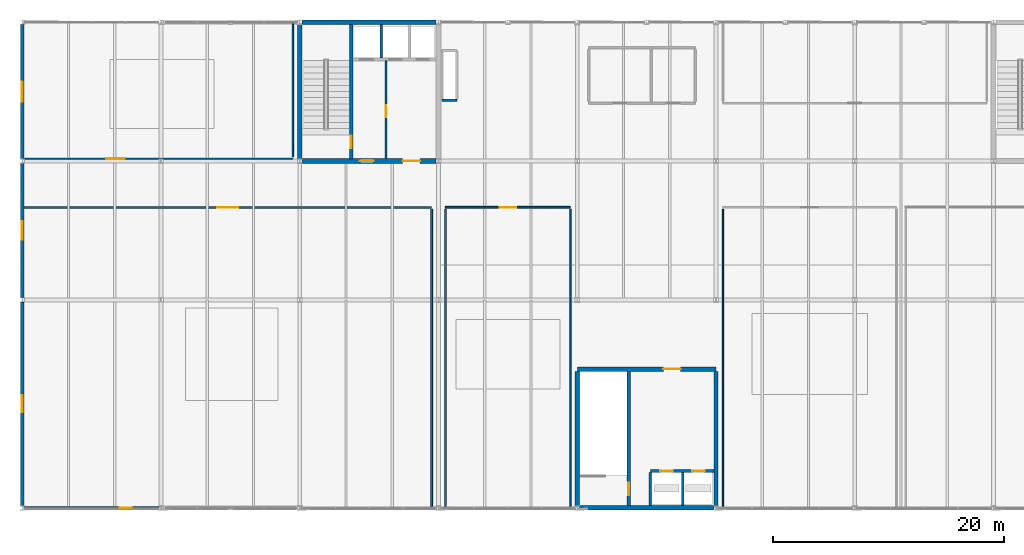
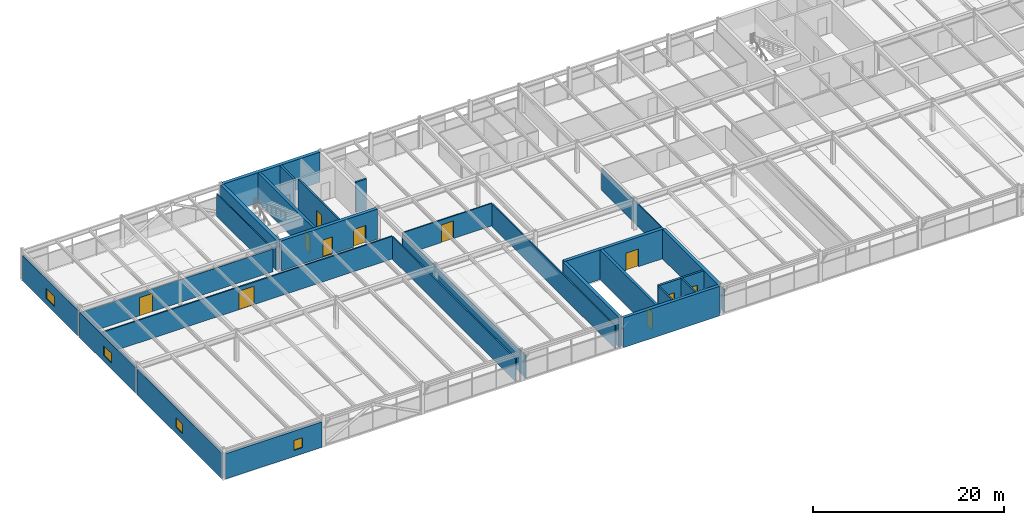
# One storey, part 45 of 52: 27 walls, 11 doors, 4 windows, 15 openings.
"""IFC4 building model written with IfcOpenShell, lengths in metres."""

from ifc_helpers import new_model, si_unit, direction, frame, frame_2d, origin, place, context, subcontext, project, spatial, rectangle, extrude, material, layer, layer_set, type_object, element, fill, save


model = new_model("IFC4")

# Units and contexts
model_context = context("Model", 3, precision=1e-05, world=origin(), true_north=direction((0.0, 1.0)))
body_context = subcontext(model_context, "Body", "Model", "MODEL_VIEW")
ifc_project = project(units=[si_unit("LENGTHUNIT", "METRE"), si_unit("AREAUNIT", "SQUARE_METRE"), si_unit("VOLUMEUNIT", "CUBIC_METRE"), si_unit("PLANEANGLEUNIT", "RADIAN"), si_unit("MASSUNIT", "GRAM", prefix="KILO")], contexts=[model_context])

# Site, building, storey
site_placement = place(None, origin())
site = spatial("IfcSite", under=ifc_project, at=site_placement, CompositionType="ELEMENT")
building_placement = place(site_placement, origin())
building = spatial("IfcBuilding", under=site, at=building_placement, Name="Girod Span Mobility Hub", CompositionType="ELEMENT")
storey_placement = place(building_placement, frame((0.0, 0.0, 45.60009765625)))
storey = spatial("IfcBuildingStorey", under=building, at=storey_placement, Name="L11", CompositionType="ELEMENT", Elevation=45.60009765625)

# Wall
ifc_material_1 = material(Name="Concrete C40/50", Category="concrete")
ifc_layer_1 = layer(ifc_material_1, 0.3798828125)
ifc_layer_set_1 = layer_set([ifc_layer_1], Name="Concrete C40/50")
wall_type_1 = type_object("IfcWallType", Name="W-CW-380", PredefinedType="SHEAR", material=ifc_layer_set_1)
wall_1_placement = place(storey_placement, frame((72.194091796875, 27.0, 0.0), z_axis=(0.0, 0.0, 1.0), x_axis=(1.0, 0.0, 0.0)))
element("IfcWall", 1, at=wall_1_placement, inside=storey, type_object=wall_type_1, Name="Core C3 Shear Wall S L11", PredefinedType="SHEAR", context=body_context, shape_type="SweptSolid", body=[
    extrude(rectangle(XDim=11.61181640625, YDim=0.3798828125, at=frame_2d((5.805908203125, 0.0))), origin(), (0.0, 0.0, 1.0), 3.782958984375),
])

# Wall, opening, door
wall_2_placement = place(storey_placement, frame((72.0, 39.0, 0.0), z_axis=(0.0, 0.0, 1.0), x_axis=(1.0, 0.0, 0.0)))
wall_2 = element("IfcWall", 2, at=wall_2_placement, inside=storey, type_object=wall_type_1, Name="Core C3 Shear Wall N L11", PredefinedType="SHEAR", context=body_context, shape_type="SweptSolid", body=[
    extrude(rectangle(XDim=12.0, YDim=0.3798828125, at=frame_2d((6.0, 0.0))), origin(), (0.0, 0.0, 1.0), 3.782958984375),
])
opening_1_placement = place(wall_2_placement, frame((7.449951171875, 0.0, 0.0)))
opening_1 = element("IfcOpeningElement", 3, at=opening_1_placement, cuts=wall_2, Name="Opening D-LB-C3-L11", PredefinedType="OPENING", context=body_context, shape_type="SweptSolid", body=[
    extrude(rectangle(XDim=1.5, YDim=2.25, at=frame_2d((0.75, 1.125))), frame((0.0, 0.204833984375, 0.0), z_axis=(0.0, -1.0, 0.0), x_axis=(1.0, 0.0, 0.0)), (0.0, 0.0, 1.0), 0.409912109375),
])
ifc_material_2 = material(Name="Fire-Rated Insulated Hollow Metal Steel", Category="steel")
door_type_1 = type_object("IfcDoorType", Name="DT-FD-03", OperationType="DOUBLE_DOOR_SINGLE_SWING", PredefinedType="DOOR", material=ifc_material_2)
door_1_placement = place(opening_1_placement, origin())
door_1 = element("IfcDoor", 4, at=door_1_placement, inside=storey, type_object=door_type_1, Name="Core C3 Lobby Door L11", OperationType="DOUBLE_DOOR_SINGLE_SWING", OverallHeight=2.25, OverallWidth=1.5, PredefinedType="DOOR", context=body_context, shape_type="SweptSolid", body=[
    extrude(rectangle(XDim=1.5, YDim=2.25, at=frame_2d((0.75, 1.125))), frame((0.0, 0.02490234375, 0.0), z_axis=(0.0, -1.0, 0.0), x_axis=(1.0, 0.0, 0.0)), (0.0, 0.0, 1.0), 0.050048828125),
])
fill(opening_1, door_1)

# Walls
for number, where, z_axis, x_axis, name in (
    (5, (72.0, 27.1845703125, 0.0), (0.0, 0.0, 1.0), (0.0, 1.0, 0.0), "Core C3 Shear Wall W L11"),
    (6, (84.0, 27.1845703125, 0.0), (0.0, 0.0, 1.0), (0.0, 1.0, 0.0), "Core C3 Shear Wall E L11"),
):
    element("IfcWall", number, at=place(storey_placement, frame(where, z_axis=z_axis, x_axis=x_axis)), inside=storey, type_object=wall_type_1, Name=name, PredefinedType="SHEAR", context=body_context, shape_type="SweptSolid", body=[
        extrude(rectangle(XDim=11.62841796875, YDim=0.3798828125, at=frame_2d((5.814208984375, 0.0))), origin(), (0.0, 0.0, 1.0), 3.782958984375),
    ])

# Wall, openings, doors
ifc_material_3 = material(Name="Concrete C40/50", Category="concrete")
ifc_layer_2 = layer(ifc_material_3, 0.39990234375)
ifc_layer_set_2 = layer_set([ifc_layer_2], Name="Concrete C40/50")
wall_type_2 = type_object("IfcWallType", Name="W-CW-400", PredefinedType="SHEAR", material=ifc_layer_set_2)
wall_3_placement = place(storey_placement, frame((48.196533203125, 57.0, 0.0), z_axis=(0.0, 0.0, 1.0), x_axis=(1.0, 0.0, 0.0)))
wall_3 = element("IfcWall", 7, at=wall_3_placement, inside=storey, type_object=wall_type_2, Name="Core C1 Shear Wall S L11", PredefinedType="SHEAR", context=body_context, shape_type="SweptSolid", body=[
    extrude(rectangle(XDim=11.60693359375, YDim=0.39990234375, at=frame_2d((5.803466796875, 0.0))), origin(), (0.0, 0.0, 1.0), 3.843017578125),
])
opening_2_placement = place(wall_3_placement, frame((5.00390625, 0.0, 0.0)))
opening_2 = element("IfcOpeningElement", 8, at=opening_2_placement, cuts=wall_3, Name="Opening D-FL-C1-L11", PredefinedType="OPENING", context=body_context, shape_type="SweptSolid", body=[
    extrude(rectangle(XDim=1.199951171875, YDim=2.199951171875, at=frame_2d((0.60009765625, 1.10009765625))), frame((0.0, 0.21484375, 0.0), z_axis=(0.0, -1.0, 0.0), x_axis=(1.0, 0.0, 0.0)), (0.0, 0.0, 1.0), 0.429931640625),
])
opening_3_placement = place(wall_3_placement, frame((8.702880859375, 0.0, 0.0)))
opening_3 = element("IfcOpeningElement", 9, at=opening_3_placement, cuts=wall_3, Name="Opening D-LB-C1-L11", PredefinedType="OPENING", context=body_context, shape_type="SweptSolid", body=[
    extrude(rectangle(XDim=1.5, YDim=2.25, at=frame_2d((0.75, 1.125))), frame((0.0, 0.21484375, 0.0), z_axis=(0.0, -1.0, 0.0), x_axis=(1.0, 0.0, 0.0)), (0.0, 0.0, 1.0), 0.429931640625),
])
door_2_placement = place(opening_3_placement, origin())
door_2 = element("IfcDoor", 10, at=door_2_placement, inside=storey, type_object=door_type_1, Name="Lift Lobby Entry Door C1 L11", OperationType="DOUBLE_DOOR_SINGLE_SWING", OverallHeight=2.25, OverallWidth=1.5, PredefinedType="DOOR", context=body_context, shape_type="SweptSolid", body=[
    extrude(rectangle(XDim=1.5, YDim=2.25, at=frame_2d((0.75, 1.125))), frame((0.0, 0.02490234375, 0.0), z_axis=(0.0, -1.0, 0.0), x_axis=(1.0, 0.0, 0.0)), (0.0, 0.0, 1.0), 0.050048828125),
])
fill(opening_3, door_2)
ifc_material_4 = material(Name="Fire-Rated Insulated Hollow Metal Steel", Category="steel")
door_type_2 = type_object("IfcDoorType", Name="DT-FD-05", OperationType="NOTDEFINED", PredefinedType="DOOR", material=ifc_material_4)
door_3_placement = place(opening_2_placement, origin())
door_3 = element("IfcDoor", 11, at=door_3_placement, inside=storey, type_object=door_type_2, Name="Firefighting Lobby Entry Door C1 L11", OperationType="SINGLE_SWING_RIGHT", OverallHeight=2.199951171875, OverallWidth=1.199951171875, PredefinedType="DOOR", context=body_context, shape_type="SweptSolid", body=[
    extrude(rectangle(XDim=1.199951171875, YDim=2.199951171875, at=frame_2d((0.60009765625, 1.10009765625))), frame((0.0, 0.02490234375, 0.0), z_axis=(0.0, -1.0, 0.0), x_axis=(1.0, 0.0, 0.0)), (0.0, 0.0, 1.0), 0.050048828125),
])
fill(opening_2, door_3)

# Walls
wall_4_placement = place(storey_placement, frame((48.196533203125, 69.0, 0.0), z_axis=(0.0, 0.0, 1.0), x_axis=(1.0, 0.0, 0.0)))
element("IfcWall", 12, at=wall_4_placement, inside=storey, type_object=wall_type_2, Name="Core C1 Shear Wall N L11", PredefinedType="SHEAR", context=body_context, shape_type="SweptSolid", body=[
    extrude(rectangle(XDim=11.60693359375, YDim=0.39990234375, at=frame_2d((5.803466796875, 0.0))), origin(), (0.0, 0.0, 1.0), 3.843017578125),
])
wall_5_placement = place(storey_placement, frame((48.0, 57.193603515625, 0.0), z_axis=(0.0, 0.0, 1.0), x_axis=(0.0, 1.0, 0.0)))
element("IfcWall", 13, at=wall_5_placement, inside=storey, type_object=wall_type_2, Name="Core C1 Shear Wall W L11", PredefinedType="SHEAR", context=body_context, shape_type="SweptSolid", body=[
    extrude(rectangle(XDim=11.61279296875, YDim=0.39990234375, at=frame_2d((5.806396484375, 0.0))), origin(), (0.0, 0.0, 1.0), 3.843017578125),
])

# Wall, opening, window
ifc_material_5 = material(Name="Precast Architectural Concrete C40/50", Category="concrete")
ifc_layer_3 = layer(ifc_material_5, 0.27001953125)
ifc_layer_set_3 = layer_set([ifc_layer_3], Name="Precast Architectural Concrete C40/50")
wall_type_3 = type_object("IfcWallType", Name="W-EXT-270", PredefinedType="SOLIDWALL", material=ifc_layer_set_3)
wall_6_placement = place(storey_placement, frame((24.195068359375, 27.0, 0.0), z_axis=(0.0, 0.0, 1.0), x_axis=(1.0, 0.0, 0.0)))
wall_6 = element("IfcWall", 14, at=wall_6_placement, inside=storey, type_object=wall_type_3, Name="Office Insulated Facade Wall S-3 L11", PredefinedType="SOLIDWALL", context=body_context, shape_type="SweptSolid", body=[
    extrude(rectangle(XDim=11.60986328125, YDim=0.27001953125, at=frame_2d((5.804931640625, 0.0))), origin(), (0.0, 0.0, 1.0), 3.23583984375),
])
opening_4_placement = place(wall_6_placement, frame((8.235107421875, 0.0, 0.780029296875)))
opening_4 = element("IfcOpeningElement", 15, at=opening_4_placement, cuts=wall_6, Name="Opening W-L11-S2B", PredefinedType="OPENING", context=body_context, shape_type="SweptSolid", body=[
    extrude(rectangle(XDim=1.050048828125, YDim=1.25, at=frame_2d((0.52490234375, 0.625))), frame((0.0, 0.14990234375, 0.0), z_axis=(0.0, -1.0, 0.0), x_axis=(1.0, 0.0, 0.0)), (0.0, 0.0, 1.0), 0.300048828125),
])
ifc_material_6 = material(Name="Double Low-E Insulated Glazing", Category="glass")
window_type_1 = type_object("IfcWindowType", Name="WN-01", PartitioningType="SINGLE_PANEL", PredefinedType="WINDOW", material=ifc_material_6)
window_1_placement = place(opening_4_placement, origin())
window_1 = element("IfcWindow", 16, at=window_1_placement, inside=storey, type_object=window_type_1, Name="Office Window WN-01", OverallHeight=1.25, OverallWidth=1.050048828125, PartitioningType="SINGLE_PANEL", PredefinedType="WINDOW", context=body_context, shape_type="SweptSolid", body=[
    extrude(rectangle(XDim=1.050048828125, YDim=1.25, at=frame_2d((0.52490234375, 0.625))), frame((0.0, 0.030029296875, 0.0), z_axis=(0.0, -1.0, 0.0), x_axis=(1.0, 0.0, 0.0)), (0.0, 0.0, 1.0), 0.06005859375),
])
fill(opening_4, window_1)

wall_7_placement = place(storey_placement, frame((24.0, 27.185546875, 0.0), z_axis=(0.0, 0.0, 1.0), x_axis=(0.0, 1.0, 0.0)))
wall_7 = element("IfcWall", 17, at=wall_7_placement, inside=storey, type_object=wall_type_3, Name="End Facade Insulated Wall W-C L11", PredefinedType="SOLIDWALL", context=body_context, shape_type="SweptSolid", body=[
    extrude(rectangle(XDim=17.62890625, YDim=0.27001953125, at=frame_2d((8.814453125, 0.0))), origin(), (0.0, 0.0, 1.0), 3.23583984375),
])
opening_5_placement = place(wall_7_placement, frame((8.090087890625, 0.0, 0.780029296875)))
opening_5 = element("IfcOpeningElement", 18, at=opening_5_placement, cuts=wall_7, Name="Opening W-L11-W2", PredefinedType="OPENING", context=body_context, shape_type="SweptSolid", body=[
    extrude(rectangle(XDim=1.449951171875, YDim=1.25, at=frame_2d((0.72509765625, 0.625))), frame((0.0, 0.14990234375, 0.0), z_axis=(0.0, -1.0, 0.0), x_axis=(1.0, 0.0, 0.0)), (0.0, 0.0, 1.0), 0.300048828125),
])
ifc_material_7 = material(Name="Double Low-E Insulated Glazing", Category="glass")
window_type_2 = type_object("IfcWindowType", Name="WN-04", PartitioningType="SINGLE_PANEL", PredefinedType="WINDOW", material=ifc_material_7)
window_2_placement = place(opening_5_placement, origin())
window_2 = element("IfcWindow", 19, at=window_2_placement, inside=storey, type_object=window_type_2, Name="End Office Window WN-04", OverallHeight=1.25, OverallWidth=1.449951171875, PartitioningType="SINGLE_PANEL", PredefinedType="WINDOW", context=body_context, shape_type="SweptSolid", body=[
    extrude(rectangle(XDim=1.449951171875, YDim=1.25, at=frame_2d((0.72509765625, 0.625))), frame((0.0, 0.030029296875, 0.0), z_axis=(0.0, -1.0, 0.0), x_axis=(1.0, 0.0, 0.0)), (0.0, 0.0, 1.0), 0.06005859375),
])
fill(opening_5, window_2)

wall_8_placement = place(storey_placement, frame((24.0, 45.185546875, 0.0), z_axis=(0.0, 0.0, 1.0), x_axis=(0.0, 1.0, 0.0)))
wall_8 = element("IfcWall", 20, at=wall_8_placement, inside=storey, type_object=wall_type_3, Name="End Facade Insulated Wall W-D L11", PredefinedType="SOLIDWALL", context=body_context, shape_type="SweptSolid", body=[
    extrude(rectangle(XDim=11.62890625, YDim=0.27001953125, at=frame_2d((5.814453125, 0.0))), origin(), (0.0, 0.0, 1.0), 3.23583984375),
])
opening_6_placement = place(wall_8_placement, frame((5.013916015625, 0.0, 0.780029296875)))
opening_6 = element("IfcOpeningElement", 21, at=opening_6_placement, cuts=wall_8, Name="Opening W-L11-W3", PredefinedType="OPENING", context=body_context, shape_type="SweptSolid", body=[
    extrude(rectangle(XDim=1.60009765625, YDim=1.25, at=frame_2d((0.800048828125, 0.625))), frame((0.0, 0.14990234375, 0.0), z_axis=(0.0, -1.0, 0.0), x_axis=(1.0, 0.0, 0.0)), (0.0, 0.0, 1.0), 0.300048828125),
])
ifc_material_8 = material(Name="Double Low-E Insulated Glazing", Category="glass")
window_type_3 = type_object("IfcWindowType", Name="WN-05", PartitioningType="SINGLE_PANEL", PredefinedType="WINDOW", material=ifc_material_8)
window_3_placement = place(opening_6_placement, origin())
window_3 = element("IfcWindow", 22, at=window_3_placement, inside=storey, type_object=window_type_3, Name="End Office Window WN-05", OverallHeight=1.25, OverallWidth=1.60009765625, PartitioningType="SINGLE_PANEL", PredefinedType="WINDOW", context=body_context, shape_type="SweptSolid", body=[
    extrude(rectangle(XDim=1.60009765625, YDim=1.25, at=frame_2d((0.800048828125, 0.625))), frame((0.0, 0.030029296875, 0.0), z_axis=(0.0, -1.0, 0.0), x_axis=(1.0, 0.0, 0.0)), (0.0, 0.0, 1.0), 0.06005859375),
])
fill(opening_6, window_3)

wall_9_placement = place(storey_placement, frame((24.0, 57.185546875, 0.0), z_axis=(0.0, 0.0, 1.0), x_axis=(0.0, 1.0, 0.0)))
wall_9 = element("IfcWall", 23, at=wall_9_placement, inside=storey, type_object=wall_type_3, Name="End Facade Insulated Wall W-E L11", PredefinedType="SOLIDWALL", context=body_context, shape_type="SweptSolid", body=[
    extrude(rectangle(XDim=11.62890625, YDim=0.27001953125, at=frame_2d((5.814453125, 0.0))), origin(), (0.0, 0.0, 1.0), 3.23583984375),
])
opening_7_placement = place(wall_9_placement, frame((4.93896484375, 0.0, 0.780029296875)))
opening_7 = element("IfcOpeningElement", 24, at=opening_7_placement, cuts=wall_9, Name="Opening W-L11-W4", PredefinedType="OPENING", context=body_context, shape_type="SweptSolid", body=[
    extrude(rectangle(XDim=1.75, YDim=1.25, at=frame_2d((0.875, 0.625))), frame((0.0, 0.14990234375, 0.0), z_axis=(0.0, -1.0, 0.0), x_axis=(1.0, 0.0, 0.0)), (0.0, 0.0, 1.0), 0.300048828125),
])
ifc_material_9 = material(Name="Double Low-E Insulated Glazing", Category="glass")
window_type_4 = type_object("IfcWindowType", Name="WN-06", PartitioningType="SINGLE_PANEL", PredefinedType="WINDOW", material=ifc_material_9)
window_4_placement = place(opening_7_placement, origin())
window_4 = element("IfcWindow", 25, at=window_4_placement, inside=storey, type_object=window_type_4, Name="End Office Window WN-06", OverallHeight=1.25, OverallWidth=1.75, PartitioningType="SINGLE_PANEL", PredefinedType="WINDOW", context=body_context, shape_type="SweptSolid", body=[
    extrude(rectangle(XDim=1.75, YDim=1.25, at=frame_2d((0.875, 0.625))), frame((0.0, 0.030029296875, 0.0), z_axis=(0.0, -1.0, 0.0), x_axis=(1.0, 0.0, 0.0)), (0.0, 0.0, 1.0), 0.06005859375),
])
fill(opening_7, window_4)

# Wall, opening, door
ifc_material_10 = material(Name="Concrete C40/50", Category="concrete")
ifc_layer_4 = layer(ifc_material_10, 0.18994140625)
ifc_layer_set_4 = layer_set([ifc_layer_4], Name="Concrete C40/50")
wall_type_4 = type_object("IfcWallType", Name="W-FL-190", PredefinedType="SOLIDWALL", material=ifc_layer_set_4)
wall_10_placement = place(storey_placement, frame((55.449951171875, 57.199951171875, 0.0), z_axis=(0.0, 0.0, 1.0), x_axis=(0.0, 1.0, 0.0)))
wall_10 = element("IfcWall", 26, at=wall_10_placement, inside=storey, type_object=wall_type_4, Name="Core C1 Firefighting Lobby Wall L11", PredefinedType="SOLIDWALL", context=body_context, shape_type="SweptSolid", body=[
    extrude(rectangle(XDim=8.47998046875, YDim=0.18994140625, at=frame_2d((4.239990234375, 0.0))), origin(), (0.0, 0.0, 1.0), 3.8330078125),
])
opening_8_placement = place(wall_10_placement, frame((3.60009765625, 0.0, 0.0)))
opening_8 = element("IfcOpeningElement", 27, at=opening_8_placement, cuts=wall_10, Name="Opening D-FLX-C1-L11", PredefinedType="OPENING", context=body_context, shape_type="SweptSolid", body=[
    extrude(rectangle(XDim=1.0400390625, YDim=2.179931640625, at=frame_2d((0.52001953125, 1.08984375))), frame((0.0, 0.10986328125, 0.0), z_axis=(0.0, -1.0, 0.0), x_axis=(1.0, 0.0, 0.0)), (0.0, 0.0, 1.0), 0.219970703125),
])
ifc_material_11 = material(Name="Fire-Rated Insulated Hollow Metal Steel", Category="steel")
door_type_3 = type_object("IfcDoorType", Name="DT-FD-02", OperationType="NOTDEFINED", PredefinedType="DOOR", material=ifc_material_11)
door_4_placement = place(opening_8_placement, origin())
door_4 = element("IfcDoor", 28, at=door_4_placement, inside=storey, type_object=door_type_3, Name="Firefighting Lobby Interconnect Door C1 L11", OperationType="SINGLE_SWING_RIGHT", OverallHeight=2.179931640625, OverallWidth=1.0400390625, PredefinedType="DOOR", context=body_context, shape_type="SweptSolid", body=[
    extrude(rectangle(XDim=1.0400390625, YDim=2.179931640625, at=frame_2d((0.52001953125, 1.08984375))), frame((0.0, 0.02490234375, 0.0), z_axis=(0.0, -1.0, 0.0), x_axis=(1.0, 0.0, 0.0)), (0.0, 0.0, 1.0), 0.050048828125),
])
fill(opening_8, door_4)

ifc_material_12 = material(Name="Fire-Rated Gypsum Board on Metal Studs", Category="gypsum")
ifc_layer_5 = layer(ifc_material_12, 0.1650390625)
ifc_layer_set_5 = layer_set([ifc_layer_5], Name="Fire-Rated Gypsum Board on Metal Studs")
wall_type_5 = type_object("IfcWallType", Name="W-FP-165", PredefinedType="PARTITIONING", material=ifc_layer_set_5)
wall_11_placement = place(storey_placement, frame((24.139892578125, 53.0, 0.0), z_axis=(0.0, 0.0, 1.0), x_axis=(1.0, 0.0, 0.0)))
wall_11 = element("IfcWall", 29, at=wall_11_placement, inside=storey, type_object=wall_type_5, Name="Dispatch Control Hall West Partition N", PredefinedType="PARTITIONING", context=body_context, shape_type="SweptSolid", body=[
    extrude(rectangle(XDim=35.260009765625, YDim=0.1650390625, at=frame_2d((17.6298828125, 0.0))), origin(), (0.0, 0.0, 1.0), 2.8798828125),
])
opening_9_placement = place(wall_11_placement, frame((16.719970703125, 0.0, 0.0)))
opening_9 = element("IfcOpeningElement", 30, at=opening_9_placement, cuts=wall_11, Name="Opening D-L11-DISP-W", PredefinedType="OPENING", context=body_context, shape_type="SweptSolid", body=[
    extrude(rectangle(XDim=1.820068359375, YDim=2.360107421875, at=frame_2d((0.91015625, 1.18017578125))), frame((0.0, 0.097412109375, 0.0), z_axis=(0.0, -1.0, 0.0), x_axis=(1.0, 0.0, 0.0)), (0.0, 0.0, 1.0), 0.195068359375),
])
ifc_material_13 = material(Name="Fire-Rated Insulated Hollow Metal Steel", Category="steel")
door_type_4 = type_object("IfcDoorType", Name="DT-FD-10", OperationType="DOUBLE_DOOR_SINGLE_SWING", PredefinedType="DOOR", material=ifc_material_13)
door_5_placement = place(opening_9_placement, origin())
door_5 = element("IfcDoor", 31, at=door_5_placement, inside=storey, type_object=door_type_4, Name="Dispatch Control Hall West Door", OperationType="DOUBLE_DOOR_SINGLE_SWING", OverallHeight=2.360107421875, OverallWidth=1.820068359375, PredefinedType="DOOR", context=body_context, shape_type="SweptSolid", body=[
    extrude(rectangle(XDim=1.820068359375, YDim=2.360107421875, at=frame_2d((0.91015625, 1.18017578125))), frame((0.0, 0.02490234375, 0.0), z_axis=(0.0, -1.0, 0.0), x_axis=(1.0, 0.0, 0.0)), (0.0, 0.0, 1.0), 0.050048828125),
])
fill(opening_9, door_5)

# Walls
wall_12_placement = place(storey_placement, frame((59.39990234375, 27.139892578125, 0.0), z_axis=(0.0, 0.0, 1.0), x_axis=(0.0, 1.0, 0.0)))
element("IfcWall", 32, at=wall_12_placement, inside=storey, type_object=wall_type_5, Name="Dispatch Control Hall West Partition E", PredefinedType="PARTITIONING", context=body_context, shape_type="SweptSolid", body=[
    extrude(rectangle(XDim=25.7001953125, YDim=0.1650390625, at=frame_2d((12.85009765625, 0.0))), origin(), (0.0, 0.0, 1.0), 2.8798828125),
])
ifc_material_14 = material(Name="Gypsum Acoustic Operable Panel on Galvanised Steel Framing", Category="steel")
ifc_layer_6 = layer(ifc_material_14, 0.10791015625)
ifc_layer_set_6 = layer_set([ifc_layer_6], Name="Gypsum Acoustic Operable Panel on Galvanised Steel Framing")
wall_type_6 = type_object("IfcWallType", Name="W-MOV-108", PredefinedType="MOVABLE", material=ifc_layer_set_6)
wall_13_placement = place(storey_placement, frame((84.60009765625, 27.139892578125, 0.0), z_axis=(0.0, 0.0, 1.0), x_axis=(0.0, 1.0, 0.0)))
element("IfcWall", 33, at=wall_13_placement, inside=storey, type_object=wall_type_6, Name="Training Classroom East Partition W", PredefinedType="MOVABLE", context=body_context, shape_type="SweptSolid", body=[
    extrude(rectangle(XDim=25.7001953125, YDim=0.10791015625, at=frame_2d((12.85009765625, 0.0))), origin(), (0.0, 0.0, 1.0), 2.8798828125),
])

# Wall, opening, door
ifc_material_15 = material(Name="Fire-Rated Gypsum Board on Metal Studs", Category="gypsum")
ifc_layer_7 = layer(ifc_material_15, 0.125)
ifc_layer_set_7 = layer_set([ifc_layer_7], Name="Fire-Rated Gypsum Board on Metal Studs")
wall_type_7 = type_object("IfcWallType", Name="W-PT-125", PredefinedType="PARTITIONING", material=ifc_layer_set_7)
wall_14_placement = place(storey_placement, frame((24.139892578125, 57.199951171875, 0.0), z_axis=(0.0, 0.0, 1.0), x_axis=(1.0, 0.0, 0.0)))
wall_14 = element("IfcWall", 34, at=wall_14_placement, inside=storey, type_object=wall_type_7, Name="Engineering Studio North West Partition S", PredefinedType="PARTITIONING", context=body_context, shape_type="SweptSolid", body=[
    extrude(rectangle(XDim=23.260009765625, YDim=0.125, at=frame_2d((11.6298828125, 0.0))), origin(), (0.0, 0.0, 1.0), 2.8798828125),
])
opening_10_placement = place(wall_14_placement, frame((7.10302734375, 0.0, 0.0)))
opening_10 = element("IfcOpeningElement", 35, at=opening_10_placement, cuts=wall_14, Name="Opening D-L11-STUDIO-NW", PredefinedType="OPENING", context=body_context, shape_type="SweptSolid", body=[
    extrude(rectangle(XDim=1.610107421875, YDim=2.330078125, at=frame_2d((0.80517578125, 1.1650390625))), frame((0.0, 0.077392578125, 0.0), z_axis=(0.0, -1.0, 0.0), x_axis=(1.0, 0.0, 0.0)), (0.0, 0.0, 1.0), 0.155029296875),
])
ifc_material_16 = material(Name="Solid-Core Architectural Timber", Category="wood")
door_type_5 = type_object("IfcDoorType", Name="DT-NR-15", OperationType="DOUBLE_DOOR_SINGLE_SWING", PredefinedType="DOOR", material=ifc_material_16)
door_6_placement = place(opening_10_placement, origin())
door_6 = element("IfcDoor", 36, at=door_6_placement, inside=storey, type_object=door_type_5, Name="Engineering Studio North West Door", OperationType="DOUBLE_DOOR_SINGLE_SWING", OverallHeight=2.330078125, OverallWidth=1.610107421875, PredefinedType="DOOR", context=body_context, shape_type="SweptSolid", body=[
    extrude(rectangle(XDim=1.610107421875, YDim=2.330078125, at=frame_2d((0.80517578125, 1.1650390625))), frame((0.0, 0.02490234375, 0.0), z_axis=(0.0, -1.0, 0.0), x_axis=(1.0, 0.0, 0.0)), (0.0, 0.0, 1.0), 0.050048828125),
])
fill(opening_10, door_6)

# Wall
wall_15_placement = place(storey_placement, frame((47.39990234375, 57.360107421875, 0.0), z_axis=(0.0, 0.0, 1.0), x_axis=(0.0, 1.0, 0.0)))
element("IfcWall", 37, at=wall_15_placement, inside=storey, type_object=wall_type_7, Name="Engineering Studio North West Partition E", PredefinedType="PARTITIONING", context=body_context, shape_type="SweptSolid", body=[
    extrude(rectangle(XDim=11.5, YDim=0.125, at=frame_2d((5.75, 0.0))), origin(), (0.0, 0.0, 1.0), 2.8798828125),
])

# Wall, opening, door
ifc_material_17 = material(Name="Fire-Rated Gypsum Board on Metal Studs", Category="gypsum")
ifc_layer_8 = layer(ifc_material_17, 0.139892578125)
ifc_layer_set_8 = layer_set([ifc_layer_8], Name="Fire-Rated Gypsum Board on Metal Studs")
wall_type_8 = type_object("IfcWallType", Name="W-PT-140", PredefinedType="PARTITIONING", material=ifc_layer_set_8)
wall_16_placement = place(storey_placement, frame((60.60009765625, 53.0, 0.0), z_axis=(0.0, 0.0, 1.0), x_axis=(1.0, 0.0, 0.0)))
wall_16 = element("IfcWall", 38, at=wall_16_placement, inside=storey, type_object=wall_type_8, Name="Office Suite Dispatch Support Partition N", PredefinedType="PARTITIONING", context=body_context, shape_type="SweptSolid", body=[
    extrude(rectangle(XDim=10.7998046875, YDim=0.139892578125, at=frame_2d((5.39990234375, 0.0))), origin(), (0.0, 0.0, 1.0), 2.8798828125),
])
opening_11_placement = place(wall_16_placement, frame((4.679931640625, 0.0, 0.0)))
opening_11 = element("IfcOpeningElement", 39, at=opening_11_placement, cuts=wall_16, Name="Opening D-L11-BRIEF-C", PredefinedType="OPENING", context=body_context, shape_type="SweptSolid", body=[
    extrude(rectangle(XDim=1.43994140625, YDim=2.260009765625, at=frame_2d((0.719970703125, 1.1298828125))), frame((0.0, 0.0849609375, 0.0), z_axis=(0.0, -1.0, 0.0), x_axis=(1.0, 0.0, 0.0)), (0.0, 0.0, 1.0), 0.169921875),
])
ifc_material_18 = material(Name="Solid-Core Architectural Timber", Category="wood")
door_type_6 = type_object("IfcDoorType", Name="DT-NR-12", OperationType="DOUBLE_DOOR_SINGLE_SWING", PredefinedType="DOOR", material=ifc_material_18)
door_7_placement = place(opening_11_placement, origin())
door_7 = element("IfcDoor", 40, at=door_7_placement, inside=storey, type_object=door_type_6, Name="Office Suite Dispatch Support Door", OperationType="DOUBLE_DOOR_SINGLE_SWING", OverallHeight=2.260009765625, OverallWidth=1.43994140625, PredefinedType="DOOR", context=body_context, shape_type="SweptSolid", body=[
    extrude(rectangle(XDim=1.43994140625, YDim=2.260009765625, at=frame_2d((0.719970703125, 1.1298828125))), frame((0.0, 0.02490234375, 0.0), z_axis=(0.0, -1.0, 0.0), x_axis=(1.0, 0.0, 0.0)), (0.0, 0.0, 1.0), 0.050048828125),
])
fill(opening_11, door_7)

# Walls
for number, where, z_axis, x_axis, name in (
    (41, (60.60009765625, 27.139892578125, 0.0), (0.0, 0.0, 1.0), (0.0, 1.0, 0.0), "Office Suite Dispatch Support Partition W"),
    (42, (71.39990234375, 27.139892578125, 0.0), (0.0, 0.0, 1.0), (0.0, 1.0, 0.0), "Office Suite Dispatch Support Partition E"),
):
    element("IfcWall", number, at=place(storey_placement, frame(where, z_axis=z_axis, x_axis=x_axis)), inside=storey, type_object=wall_type_8, Name=name, PredefinedType="PARTITIONING", context=body_context, shape_type="SweptSolid", body=[
        extrude(rectangle(XDim=25.7001953125, YDim=0.139892578125, at=frame_2d((12.85009765625, 0.0))), origin(), (0.0, 0.0, 1.0), 2.8798828125),
    ])
ifc_material_19 = material(Name="Concrete C40/50", Category="concrete")
ifc_layer_9 = layer(ifc_material_19, 0.199951171875)
ifc_layer_set_9 = layer_set([ifc_layer_9], Name="Concrete C40/50")
wall_type_9 = type_object("IfcWallType", Name="W-SH-200", PredefinedType="SOLIDWALL", material=ifc_layer_set_9)
wall_17_placement = place(storey_placement, frame((60.297119140625, 62.25, 0.0), z_axis=(0.0, 0.0, 1.0), x_axis=(1.0, 0.0, 0.0)))
element("IfcWall", 43, at=wall_17_placement, inside=storey, type_object=wall_type_9, Name="Sanitary Wet Riser Shaft Wall S L11", PredefinedType="SOLIDWALL", context=body_context, shape_type="SweptSolid", body=[
    extrude(rectangle(XDim=1.282958984375, YDim=0.199951171875, at=frame_2d((0.6416015625, 0.0))), origin(), (0.0, 0.0, 1.0), 3.843017578125),
])
wall_18_placement = place(storey_placement, frame((55.050048828125, 65.919921875, 0.0), z_axis=(0.0, 0.0, 1.0), x_axis=(0.0, 1.0, 0.0)))
element("IfcWall", 44, at=wall_18_placement, inside=storey, type_object=wall_type_9, Name="Core C1 Shaft Divider 1 L11", PredefinedType="SOLIDWALL", context=body_context, shape_type="SweptSolid", body=[
    extrude(rectangle(XDim=2.880126953125, YDim=0.199951171875, at=frame_2d((1.43994140625, 0.0))), origin(), (0.0, 0.0, 1.0), 3.8330078125),
])
for number, where, z_axis, x_axis, name in (
    (45, (78.320068359375, 27.18994140625, 0.0), (0.0, 0.0, 1.0), (0.0, 1.0, 0.0), "Core C3 Shaft Divider 1 L11"),
    (46, (81.1201171875, 27.18994140625, 0.0), (0.0, 0.0, 1.0), (0.0, 1.0, 0.0), "Core C3 Shaft Divider 2 L11"),
):
    element("IfcWall", number, at=place(storey_placement, frame(where, z_axis=z_axis, x_axis=x_axis)), inside=storey, type_object=wall_type_9, Name=name, PredefinedType="SOLIDWALL", context=body_context, shape_type="SweptSolid", body=[
        extrude(rectangle(XDim=2.89013671875, YDim=0.199951171875, at=frame_2d((1.445068359375, 0.0))), origin(), (0.0, 0.0, 1.0), 3.77294921875),
    ])

# Wall, openings, doors
ifc_material_20 = material(Name="Concrete C40/50", Category="concrete")
ifc_layer_10 = layer(ifc_material_20, 0.25)
ifc_layer_set_10 = layer_set([ifc_layer_10], Name="Concrete C40/50")
wall_type_10 = type_object("IfcWallType", Name="W-SH-250", PredefinedType="SOLIDWALL", material=ifc_layer_set_10)
wall_19_placement = place(storey_placement, frame((78.320068359375, 30.199951171875, 0.0), z_axis=(0.0, 0.0, 1.0), x_axis=(1.0, 0.0, 0.0)))
wall_19 = element("IfcWall", 47, at=wall_19_placement, inside=storey, type_object=wall_type_10, Name="Core C3 Hoistway Front Wall L11", PredefinedType="SOLIDWALL", context=body_context, shape_type="SweptSolid", body=[
    extrude(rectangle(XDim=5.492919921875, YDim=0.25, at=frame_2d((2.74658203125, 0.0))), origin(), (0.0, 0.0, 1.0), 3.782958984375),
])
opening_12_placement = place(wall_19_placement, frame((0.860107421875, 0.0, 0.0)))
opening_12 = element("IfcOpeningElement", 48, at=opening_12_placement, cuts=wall_19, Name="Opening LD-LP-5-L11", PredefinedType="OPENING", context=body_context, shape_type="SweptSolid", body=[
    extrude(rectangle(XDim=1.080078125, YDim=2.219970703125, at=frame_2d((0.5400390625, 1.10986328125))), frame((0.0, 0.139892578125, 0.0), z_axis=(0.0, -1.0, 0.0), x_axis=(1.0, 0.0, 0.0)), (0.0, 0.0, 1.0), 0.280029296875),
])
opening_13_placement = place(wall_19_placement, frame((3.610107421875, 0.0, 0.0)))
opening_13 = element("IfcOpeningElement", 49, at=opening_13_placement, cuts=wall_19, Name="Opening LD-LP-6-L11", PredefinedType="OPENING", context=body_context, shape_type="SweptSolid", body=[
    extrude(rectangle(XDim=1.080078125, YDim=2.219970703125, at=frame_2d((0.5400390625, 1.10986328125))), frame((0.0, 0.139892578125, 0.0), z_axis=(0.0, -1.0, 0.0), x_axis=(1.0, 0.0, 0.0)), (0.0, 0.0, 1.0), 0.280029296875),
])
ifc_material_21 = material(Name="Brushed Stainless Steel Grade 304", Category="steel")
door_type_7 = type_object("IfcDoorType", Name="LD-LP-108", OperationType="SLIDING_TO_LEFT", PredefinedType="USERDEFINED", material=ifc_material_21)
door_8_placement = place(opening_12_placement, origin())
door_8 = element("IfcDoor", 50, at=door_8_placement, inside=storey, type_object=door_type_7, Name="Lift LP-5 Sliding Landing Door L11", ObjectType="LANDING DOOR", OperationType="SLIDING_TO_LEFT", OverallHeight=2.219970703125, OverallWidth=1.080078125, PredefinedType="USERDEFINED", context=body_context, shape_type="SweptSolid", body=[
    extrude(rectangle(XDim=1.080078125, YDim=2.219970703125, at=frame_2d((0.5400390625, 1.10986328125))), frame((0.0, 0.02490234375, 0.0), z_axis=(0.0, -1.0, 0.0), x_axis=(1.0, 0.0, 0.0)), (0.0, 0.0, 1.0), 0.050048828125),
])
fill(opening_12, door_8)
door_9_placement = place(opening_13_placement, origin())
door_9 = element("IfcDoor", 51, at=door_9_placement, inside=storey, type_object=door_type_7, Name="Lift LP-6 Sliding Landing Door L11", ObjectType="LANDING DOOR", OperationType="SLIDING_TO_LEFT", OverallHeight=2.219970703125, OverallWidth=1.080078125, PredefinedType="USERDEFINED", context=body_context, shape_type="SweptSolid", body=[
    extrude(rectangle(XDim=1.080078125, YDim=2.219970703125, at=frame_2d((0.5400390625, 1.10986328125))), frame((0.0, 0.02490234375, 0.0), z_axis=(0.0, -1.0, 0.0), x_axis=(1.0, 0.0, 0.0)), (0.0, 0.0, 1.0), 0.050048828125),
])
fill(opening_13, door_9)

# Wall, opening, door
ifc_material_22 = material(Name="Concrete C40/50", Category="concrete")
ifc_layer_11 = layer(ifc_material_22, 0.300048828125)
ifc_layer_set_11 = layer_set([ifc_layer_11], Name="Concrete C40/50")
wall_type_11 = type_object("IfcWallType", Name="W-SH-300", PredefinedType="SHEAR", material=ifc_layer_set_11)
wall_20_placement = place(storey_placement, frame((52.449951171875, 57.197021484375, 0.0), z_axis=(0.0, 0.0, 1.0), x_axis=(0.0, 1.0, 0.0)))
wall_20 = element("IfcWall", 52, at=wall_20_placement, inside=storey, type_object=wall_type_11, Name="Core C1 Stairwell Spine Wall L11", PredefinedType="SHEAR", context=body_context, shape_type="SweptSolid", body=[
    extrude(rectangle(XDim=11.60595703125, YDim=0.300048828125, at=frame_2d((5.802978515625, 0.0))), origin(), (0.0, 0.0, 1.0), 3.843017578125),
])
opening_14_placement = place(wall_20_placement, frame((0.89990234375, 0.0, 0.0)))
opening_14 = element("IfcOpeningElement", 53, at=opening_14_placement, cuts=wall_20, Name="Opening D-ST-1-L11", PredefinedType="OPENING", context=body_context, shape_type="SweptSolid", body=[
    extrude(rectangle(XDim=1.10009765625, YDim=2.199951171875, at=frame_2d((0.550048828125, 1.10009765625))), frame((0.0, 0.1650390625, 0.0), z_axis=(0.0, -1.0, 0.0), x_axis=(1.0, 0.0, 0.0)), (0.0, 0.0, 1.0), 0.330078125),
])
ifc_material_23 = material(Name="Fire-Rated Insulated Hollow Metal Steel", Category="steel")
door_type_8 = type_object("IfcDoorType", Name="DT-FD-01", OperationType="NOTDEFINED", PredefinedType="DOOR", material=ifc_material_23)
door_10_placement = place(opening_14_placement, origin())
door_10 = element("IfcDoor", 54, at=door_10_placement, inside=storey, type_object=door_type_8, Name="Stair ST-1 Fire Door L11", OperationType="SINGLE_SWING_LEFT", OverallHeight=2.199951171875, OverallWidth=1.10009765625, PredefinedType="DOOR", context=body_context, shape_type="SweptSolid", body=[
    extrude(rectangle(XDim=1.10009765625, YDim=2.199951171875, at=frame_2d((0.550048828125, 1.10009765625))), frame((0.0, 0.02490234375, 0.0), z_axis=(0.0, -1.0, 0.0), x_axis=(1.0, 0.0, 0.0)), (0.0, 0.0, 1.0), 0.050048828125),
])
fill(opening_14, door_10)

wall_21_placement = place(storey_placement, frame((76.449951171875, 27.18701171875, 0.0), z_axis=(0.0, 0.0, 1.0), x_axis=(0.0, 1.0, 0.0)))
wall_21 = element("IfcWall", 55, at=wall_21_placement, inside=storey, type_object=wall_type_11, Name="Core C3 Stairwell Spine Wall L11", PredefinedType="SHEAR", context=body_context, shape_type="SweptSolid", body=[
    extrude(rectangle(XDim=11.6259765625, YDim=0.300048828125, at=frame_2d((5.81298828125, 0.0))), origin(), (0.0, 0.0, 1.0), 3.782958984375),
])
opening_15_placement = place(wall_21_placement, frame((0.89990234375, 0.0, 0.0)))
opening_15 = element("IfcOpeningElement", 56, at=opening_15_placement, cuts=wall_21, Name="Opening D-ST-3-L11", PredefinedType="OPENING", context=body_context, shape_type="SweptSolid", body=[
    extrude(rectangle(XDim=1.10009765625, YDim=2.199951171875, at=frame_2d((0.550048828125, 1.10009765625))), frame((0.0, 0.1650390625, 0.0), z_axis=(0.0, -1.0, 0.0), x_axis=(1.0, 0.0, 0.0)), (0.0, 0.0, 1.0), 0.330078125),
])
door_11_placement = place(opening_15_placement, origin())
door_11 = element("IfcDoor", 57, at=door_11_placement, inside=storey, type_object=door_type_8, Name="Stair ST-3 Fire Door L11", OperationType="SINGLE_SWING_LEFT", OverallHeight=2.199951171875, OverallWidth=1.10009765625, PredefinedType="DOOR", context=body_context, shape_type="SweptSolid", body=[
    extrude(rectangle(XDim=1.10009765625, YDim=2.199951171875, at=frame_2d((0.550048828125, 1.10009765625))), frame((0.0, 0.02490234375, 0.0), z_axis=(0.0, -1.0, 0.0), x_axis=(1.0, 0.0, 0.0)), (0.0, 0.0, 1.0), 0.050048828125),
])
fill(opening_15, door_11)

save(model, "model.ifc")
